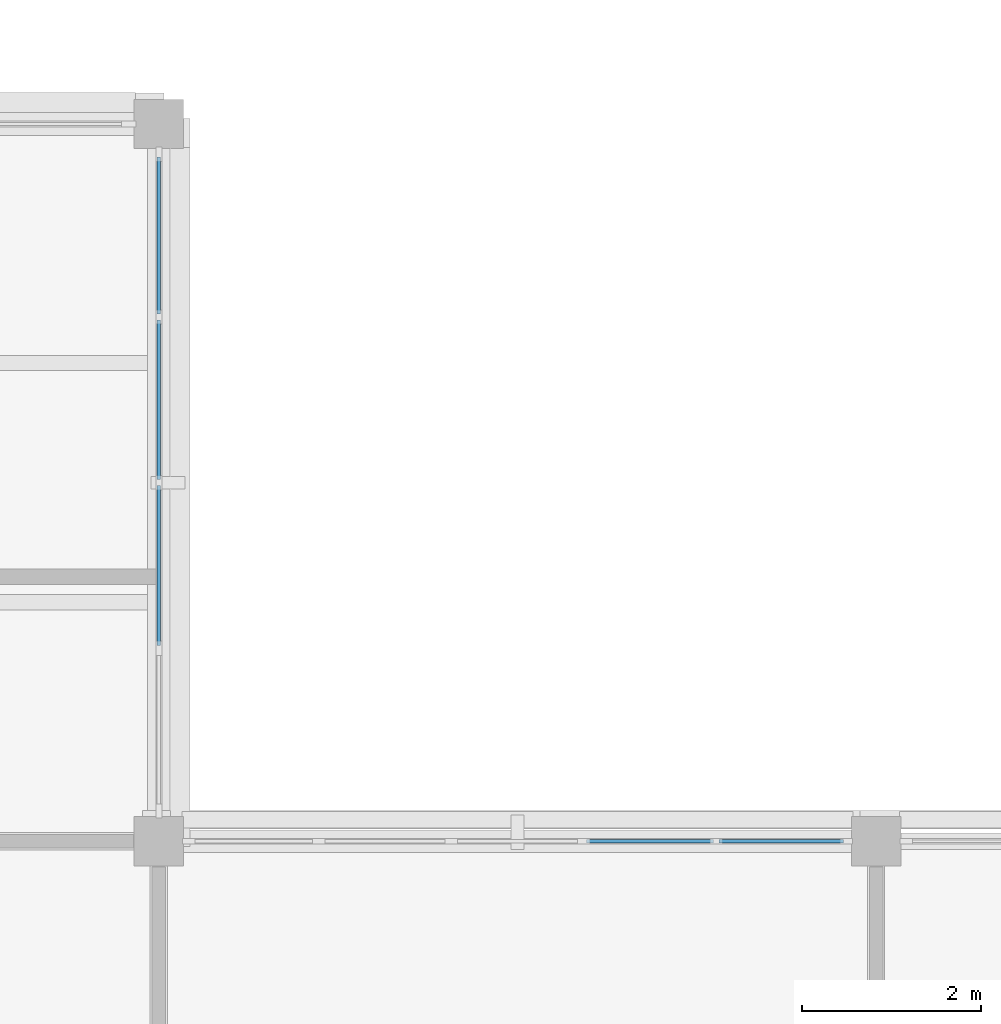
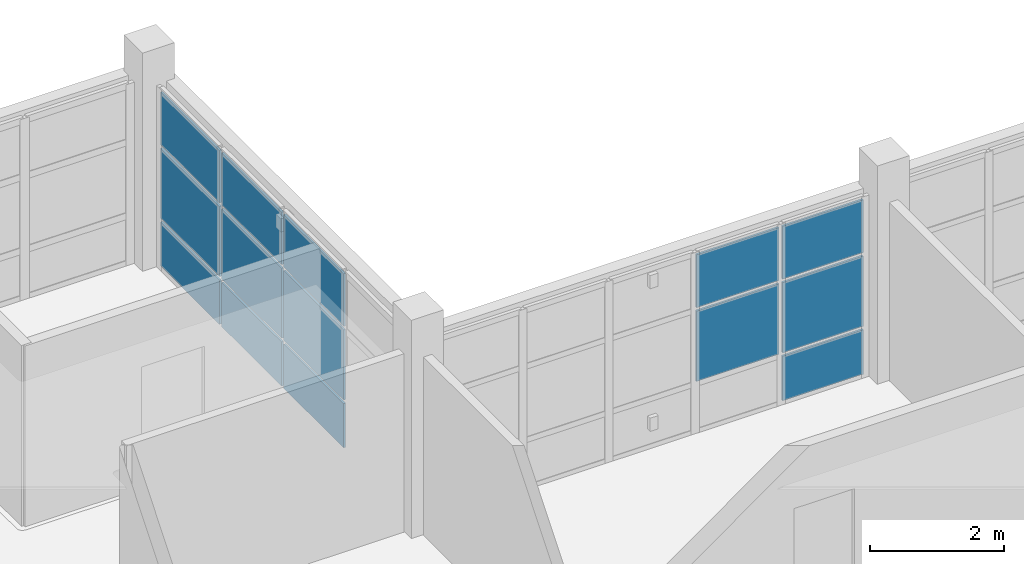
# One storey, part 53 of 92: 14 plates, 2 elements without a shape of their own.
"""IFC4 building model written with IfcOpenShell, lengths in metres."""

from ifc_helpers import new_model, si_unit, derived_unit, direction, frame, origin, origin_2d, place, context, subcontext, project, spatial, rectangle, extrude, material, layer, layer_set, type_object, element, aggregate, save


model = new_model("IFC4")

# Units and contexts
model_context = context("Model", 3, precision=1e-05, world=origin(), true_north=direction((0.0, 1.0)))
body_context = subcontext(model_context, "Body", "Model", "MODEL_VIEW")
ifc_project = project(units=[si_unit("LENGTHUNIT", "METRE"), si_unit("AREAUNIT", "SQUARE_METRE"), si_unit("VOLUMEUNIT", "CUBIC_METRE"), si_unit("PLANEANGLEUNIT", "RADIAN"), si_unit("MASSUNIT", "GRAM", prefix="KILO"), derived_unit("THERMALTRANSMITTANCEUNIT", [(si_unit("MASSUNIT", "GRAM", prefix="KILO"), 1), (si_unit("TIMEUNIT", "SECOND"), -3), (si_unit("THERMODYNAMICTEMPERATUREUNIT", "KELVIN"), -1)])], contexts=[model_context])

# Site, building, storey
site_placement = place(None, origin())
site = spatial("IfcSite", under=ifc_project, at=site_placement, CompositionType="ELEMENT")
building_placement = place(site_placement, origin())
building = spatial("IfcBuilding", under=site, at=building_placement, Name="Veyamyaing Civic Hall", CompositionType="ELEMENT")
storey_placement = place(building_placement, frame((0.0, 0.0, 17.820068359375)))
storey = spatial("IfcBuildingStorey", under=building, at=storey_placement, Name="L04", CompositionType="ELEMENT", Elevation=17.820068359375)

# Curtain wall, plates
ifc_material_1 = material(Name="Anodised aluminium 6063-T6", Category="aluminium")
ifc_layer_1 = layer(ifc_material_1, 0.159912109375, Name="Anodised aluminium 6063-T6")
ifc_layer_set_1 = layer_set([ifc_layer_1], Name="Anodised aluminium 6063-T6")
curtain_wall_type_1 = type_object("IfcCurtainWallType", Name="CW-08", PredefinedType="NOTDEFINED", material=ifc_layer_set_1)
curtain_wall_1_placement = place(storey_placement, origin())
curtain_wall_1 = element("IfcCurtainWall", 1, at=curtain_wall_1_placement, inside=storey, type_object=curtain_wall_type_1, Name="Unitized curtain wall CW-08 L04 E 15.8", PredefinedType="NOTDEFINED")
ifc_material_2 = material(Name="Low-E insulated glass", Category="glass")
ifc_layer_2 = layer(ifc_material_2, 0.035888671875, Name="Low-E insulated glass")
ifc_layer_set_2 = layer_set([ifc_layer_2], Name="Low-E insulated glass")
plate_type = type_object("IfcPlateType", Name="CWP-03", PredefinedType="CURTAIN_PANEL", material=ifc_layer_set_2)
plate_1_placement = place(storey_placement, frame((120.0, 59.076171875, 0.06494140625), z_axis=(0.0, 0.0, 1.0), x_axis=(0.0, 1.0, 0.0)))
plate_1 = element("IfcPlate", 2, at=plate_1_placement, type_object=plate_type, Name="CW-08 panel 2.1", PredefinedType="CURTAIN_PANEL", context=body_context, shape_type="SweptSolid", body=[
    extrude(rectangle(XDim=1.782470703125, YDim=0.035888671875, at=origin_2d()), origin(), (0.0, 0.0, 1.0), 0.802490234375),
])
plate_2_placement = place(storey_placement, frame((120.0, 59.076171875, 0.932373046875), z_axis=(0.0, 0.0, 1.0), x_axis=(0.0, 1.0, 0.0)))
plate_2 = element("IfcPlate", 3, at=plate_2_placement, type_object=plate_type, Name="CW-08 panel 2.2", PredefinedType="CURTAIN_PANEL", context=body_context, shape_type="SweptSolid", body=[
    extrude(rectangle(XDim=1.782470703125, YDim=0.035888671875, at=origin_2d()), origin(), (0.0, 0.0, 1.0), 1.271484375),
])
plate_3_placement = place(storey_placement, frame((120.0, 59.076171875, 2.268798828125), z_axis=(0.0, 0.0, 1.0), x_axis=(0.0, 1.0, 0.0)))
plate_3 = element("IfcPlate", 4, at=plate_3_placement, type_object=plate_type, Name="CW-08 panel 2.3", PredefinedType="CURTAIN_PANEL", context=body_context, shape_type="SweptSolid", body=[
    extrude(rectangle(XDim=1.782470703125, YDim=0.035888671875, at=origin_2d()), origin(), (0.0, 0.0, 1.0), 0.955078125),
])
plate_4_placement = place(storey_placement, frame((120.0, 60.923828125, 0.06494140625), z_axis=(0.0, 0.0, 1.0), x_axis=(0.0, 1.0, 0.0)))
plate_4 = element("IfcPlate", 5, at=plate_4_placement, type_object=plate_type, Name="CW-08 panel 3.1", PredefinedType="CURTAIN_PANEL", context=body_context, shape_type="SweptSolid", body=[
    extrude(rectangle(XDim=1.782470703125, YDim=0.035888671875, at=origin_2d()), origin(), (0.0, 0.0, 1.0), 0.802490234375),
])
plate_5_placement = place(storey_placement, frame((120.0, 60.923828125, 0.932373046875), z_axis=(0.0, 0.0, 1.0), x_axis=(0.0, 1.0, 0.0)))
plate_5 = element("IfcPlate", 6, at=plate_5_placement, type_object=plate_type, Name="CW-08 panel 3.2", PredefinedType="CURTAIN_PANEL", context=body_context, shape_type="SweptSolid", body=[
    extrude(rectangle(XDim=1.782470703125, YDim=0.035888671875, at=origin_2d()), origin(), (0.0, 0.0, 1.0), 1.271484375),
])
plate_6_placement = place(storey_placement, frame((120.0, 60.923828125, 2.268798828125), z_axis=(0.0, 0.0, 1.0), x_axis=(0.0, 1.0, 0.0)))
plate_6 = element("IfcPlate", 7, at=plate_6_placement, type_object=plate_type, Name="CW-08 panel 3.3", PredefinedType="CURTAIN_PANEL", context=body_context, shape_type="SweptSolid", body=[
    extrude(rectangle(XDim=1.782470703125, YDim=0.035888671875, at=origin_2d()), origin(), (0.0, 0.0, 1.0), 0.955078125),
])
plate_7_placement = place(storey_placement, frame((120.0, 62.7548828125, 0.06494140625), z_axis=(0.0, 0.0, 1.0), x_axis=(0.0, 1.0, 0.0)))
plate_7 = element("IfcPlate", 8, at=plate_7_placement, type_object=plate_type, Name="CW-08 panel 4.1", PredefinedType="CURTAIN_PANEL", context=body_context, shape_type="SweptSolid", body=[
    extrude(rectangle(XDim=1.75, YDim=0.035888671875, at=origin_2d()), origin(), (0.0, 0.0, 1.0), 0.802490234375),
])
plate_8_placement = place(storey_placement, frame((120.0, 62.7548828125, 0.932373046875), z_axis=(0.0, 0.0, 1.0), x_axis=(0.0, 1.0, 0.0)))
plate_8 = element("IfcPlate", 9, at=plate_8_placement, type_object=plate_type, Name="CW-08 panel 4.2", PredefinedType="CURTAIN_PANEL", context=body_context, shape_type="SweptSolid", body=[
    extrude(rectangle(XDim=1.75, YDim=0.035888671875, at=origin_2d()), origin(), (0.0, 0.0, 1.0), 1.271484375),
])
plate_9_placement = place(storey_placement, frame((120.0, 62.7548828125, 2.268798828125), z_axis=(0.0, 0.0, 1.0), x_axis=(0.0, 1.0, 0.0)))
plate_9 = element("IfcPlate", 10, at=plate_9_placement, type_object=plate_type, Name="CW-08 panel 4.3", PredefinedType="CURTAIN_PANEL", context=body_context, shape_type="SweptSolid", body=[
    extrude(rectangle(XDim=1.75, YDim=0.035888671875, at=origin_2d()), origin(), (0.0, 0.0, 1.0), 0.955078125),
])
aggregate(curtain_wall_1, [plate_1, plate_2, plate_3, plate_4, plate_5, plate_6, plate_7, plate_8, plate_9])

ifc_layer_3 = layer(ifc_material_1, 0.139892578125, Name="Anodised aluminium 6063-T6")
ifc_layer_set_3 = layer_set([ifc_layer_3], Name="Anodised aluminium 6063-T6")
curtain_wall_type_2 = type_object("IfcCurtainWallType", Name="CW-04", PredefinedType="NOTDEFINED", material=ifc_layer_set_3)
curtain_wall_2_placement = place(storey_placement, origin())
curtain_wall_2 = element("IfcCurtainWall", 11, at=curtain_wall_2_placement, inside=storey, type_object=curtain_wall_type_2, Name="Unitized curtain wall CW-04 L04 N 16.7", PredefinedType="NOTDEFINED")
plate_10_placement = place(storey_placement, frame((125.47802734375, 56.0, 0.9296875), z_axis=(0.0, 0.0, 1.0), x_axis=(1.0, 0.0, 0.0)))
plate_10 = element("IfcPlate", 12, at=plate_10_placement, type_object=plate_type, Name="CW-04 panel 4.2", PredefinedType="CURTAIN_PANEL", context=body_context, shape_type="SweptSolid", body=[
    extrude(rectangle(XDim=1.41796875, YDim=0.035888671875, at=origin_2d()), origin(), (0.0, 0.0, 1.0), 1.276611328125),
])
plate_11_placement = place(storey_placement, frame((125.47802734375, 56.0, 2.2666015625), z_axis=(0.0, 0.0, 1.0), x_axis=(1.0, 0.0, 0.0)))
plate_11 = element("IfcPlate", 13, at=plate_11_placement, type_object=plate_type, Name="CW-04 panel 4.3", PredefinedType="CURTAIN_PANEL", context=body_context, shape_type="SweptSolid", body=[
    extrude(rectangle(XDim=1.41796875, YDim=0.035888671875, at=origin_2d()), origin(), (0.0, 0.0, 1.0), 0.96240234375),
])
plate_12_placement = place(storey_placement, frame((126.94091796875, 56.0, 0.059814453125), z_axis=(0.0, 0.0, 1.0), x_axis=(1.0, 0.0, 0.0)))
plate_12 = element("IfcPlate", 14, at=plate_12_placement, type_object=plate_type, Name="CW-04 panel 5.1", PredefinedType="CURTAIN_PANEL", context=body_context, shape_type="SweptSolid", body=[
    extrude(rectangle(XDim=1.387939453125, YDim=0.035888671875, at=origin_2d()), origin(), (0.0, 0.0, 1.0), 0.81005859375),
])
plate_13_placement = place(storey_placement, frame((126.94091796875, 56.0, 0.9296875), z_axis=(0.0, 0.0, 1.0), x_axis=(1.0, 0.0, 0.0)))
plate_13 = element("IfcPlate", 15, at=plate_13_placement, type_object=plate_type, Name="CW-04 panel 5.2", PredefinedType="CURTAIN_PANEL", context=body_context, shape_type="SweptSolid", body=[
    extrude(rectangle(XDim=1.387939453125, YDim=0.035888671875, at=origin_2d()), origin(), (0.0, 0.0, 1.0), 1.276611328125),
])
plate_14_placement = place(storey_placement, frame((126.94091796875, 56.0, 2.2666015625), z_axis=(0.0, 0.0, 1.0), x_axis=(1.0, 0.0, 0.0)))
plate_14 = element("IfcPlate", 16, at=plate_14_placement, type_object=plate_type, Name="CW-04 panel 5.3", PredefinedType="CURTAIN_PANEL", context=body_context, shape_type="SweptSolid", body=[
    extrude(rectangle(XDim=1.387939453125, YDim=0.035888671875, at=origin_2d()), origin(), (0.0, 0.0, 1.0), 0.96240234375),
])
aggregate(curtain_wall_2, [plate_10, plate_11, plate_12, plate_13, plate_14])

save(model, "model.ifc")
